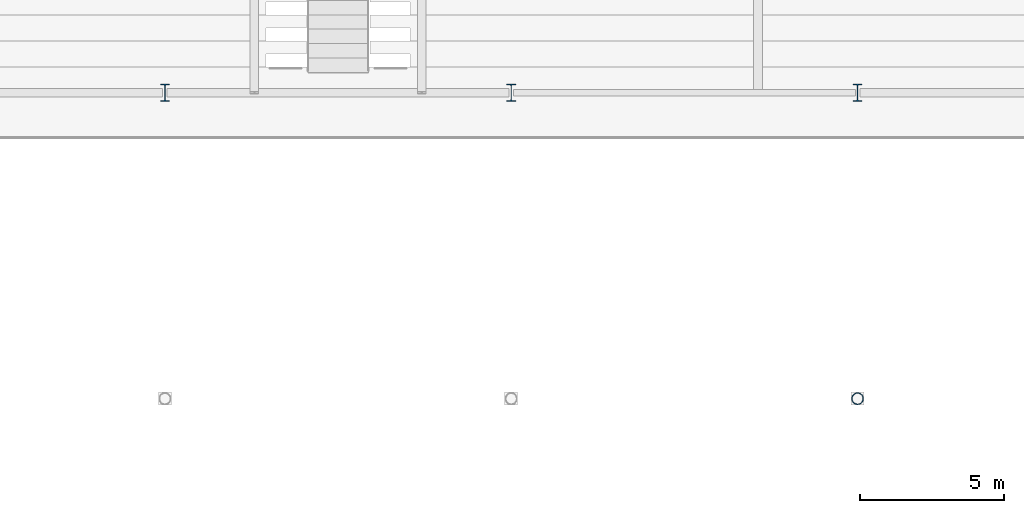
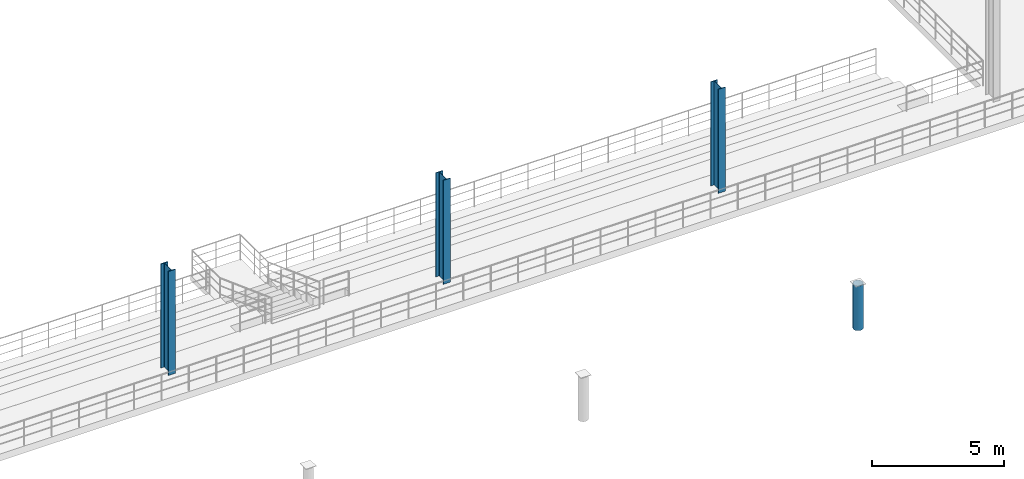
# One storey, part 2 of 52: 4 columns.
"""IFC4 building model written with IfcOpenShell, lengths in metres."""

import ifcopenshell
import ifcopenshell.guid

model = None  # the IFC model being written
_history = None  # IfcOwnerHistory: only IFC2X3 demands one
_inside = {}  # id of a spatial element -> (the spatial element, [elements in it])
_under = {}  # id of a project, library or spatial element -> (it, [spatial elements below it])
_declared = {}  # id of a project -> (the project, [libraries it declares])
_typed = {}  # id of a type object -> (the type object, [elements of that type])
_made_of = {}  # id of a material, layer set ... -> (it, [elements and type objects made of it])


def new_model(schema):
    """Start an empty IFC model of exactly this schema.

    Asked for "IFC4X3", IfcOpenShell would pick the latest addendum, in which some entities
    have other attributes; the version numbers below select the first issue.
    IFC2X3 requires an IfcOwnerHistory on every rooted entity: one is made here for all.
    """
    global model, _history
    if schema == "IFC4X3":
        model = ifcopenshell.file(schema_version=(4, 3, 0, 0))
    else:
        model = ifcopenshell.file(schema=schema)
    _inside.clear()
    _under.clear()
    _declared.clear()
    _typed.clear()
    _made_of.clear()
    _history = None
    if model.schema == "IFC2X3":
        org = make("IfcOrganization", Name="unknown")
        user = make(
            "IfcPersonAndOrganization",
            ThePerson=make("IfcPerson", FamilyName="unknown"),
            TheOrganization=org,
        )
        app = make(
            "IfcApplication",
            ApplicationDeveloper=org,
            Version="unknown",
            ApplicationFullName="unknown",
            ApplicationIdentifier="unknown",
        )
        _history = make(
            "IfcOwnerHistory",
            OwningUser=user,
            OwningApplication=app,
            ChangeAction="ADDED",
            CreationDate=0,
        )
    return model


def make(cls, **values):
    """One entity of the class cls with the attributes given. An attribute that is None is left unset."""
    return model.create_entity(
        cls, **{name: value for name, value in values.items() if value is not None}
    )


def rooted(cls, **values):
    """An entity with a GlobalId (a new one), such as an element, a storey or a relation."""
    return make(cls, GlobalId=ifcopenshell.guid.new(), OwnerHistory=_history, **values)


def si_unit(unit_type, name, prefix=None):
    """IfcSIUnit, for example si_unit("LENGTHUNIT", "METRE", prefix="MILLI")."""
    return make("IfcSIUnit", UnitType=unit_type, Prefix=prefix, Name=name)


def assignment(units):
    """IfcUnitAssignment: the units of a project."""
    return None if units is None else make("IfcUnitAssignment", Units=units)


def point(xyz):
    """IfcCartesianPoint."""
    return None if xyz is None else make("IfcCartesianPoint", Coordinates=xyz)


def direction(xyz):
    """IfcDirection."""
    return None if xyz is None else make("IfcDirection", DirectionRatios=xyz)


def frame(location, z_axis=None, x_axis=None):
    """IfcAxis2Placement3D, a coordinate frame: its origin and axes. An axis left out is left unset."""
    return make(
        "IfcAxis2Placement3D",
        Location=point(location),
        Axis=direction(z_axis),
        RefDirection=direction(x_axis),
    )


def frame_2d(location, x_axis=None):
    """IfcAxis2Placement2D, a coordinate frame in the plane: its origin and x axis."""
    return make(
        "IfcAxis2Placement2D", Location=point(location), RefDirection=direction(x_axis)
    )


def origin():
    """The frame at (0, 0, 0) with its axes left unset."""
    return frame((0.0, 0.0, 0.0))


def origin_2d():
    """The frame at (0, 0) in the plane with its x axis left unset."""
    return frame_2d((0.0, 0.0))


def place(relative_to, where):
    """IfcLocalPlacement: puts the frame where relative to a parent placement (None: the world)."""
    return make(
        "IfcLocalPlacement", PlacementRelTo=relative_to, RelativePlacement=where
    )


def context(
    kind, dimensions, precision=None, world=None, true_north=None, identifier=None
):
    """IfcGeometricRepresentationContext, for example the 3D "Model" context."""
    return make(
        "IfcGeometricRepresentationContext",
        ContextIdentifier=identifier,
        ContextType=kind,
        CoordinateSpaceDimension=dimensions,
        Precision=precision,
        WorldCoordinateSystem=world,
        TrueNorth=true_north,
    )


def subcontext(parent, identifier, kind, view, scale=None):
    """IfcGeometricRepresentationSubContext, for example "Body" below "Model"."""
    return make(
        "IfcGeometricRepresentationSubContext",
        ContextIdentifier=identifier,
        ContextType=kind,
        ParentContext=parent,
        TargetScale=scale,
        TargetView=view,
    )


def project(units=None, contexts=None):
    """IfcProject with its units and contexts."""
    return rooted(
        "IfcProject",
        Name="project",
        RepresentationContexts=contexts,
        UnitsInContext=assignment(units),
    )


def spatial(cls, under=None, at=None, **own):
    """A site, building, storey or space (cls), placed at a placement, below another one or the project."""
    s = rooted(cls, ObjectPlacement=at, **own)
    if under is not None:
        _under.setdefault(under.id(), (under, []))[1].append(s)
    return s


def profile(cls, at=None, kind="AREA", **sizes):
    """A parametric profile (cls). Its sizes go by their IFC names, for example OverallWidth=200.0."""
    return make(cls, ProfileType=kind, Position=at, **sizes)


def hollow_circle(**sizes):
    """IfcCircleHollowProfileDef."""
    return profile("IfcCircleHollowProfileDef", **sizes)


def i_section(**sizes):
    """IfcIShapeProfileDef."""
    return profile("IfcIShapeProfileDef", **sizes)


def extrude(swept, where, along, depth):
    """IfcExtrudedAreaSolid: the profile swept, set in the frame where, extruded along a direction by depth."""
    return make(
        "IfcExtrudedAreaSolid",
        SweptArea=swept,
        Position=where,
        ExtrudedDirection=direction(along),
        Depth=depth,
    )


def shape(context_of_items, identifier, shape_type, items):
    """IfcShapeRepresentation: the items that make up one representation, for example the "Body"."""
    return make(
        "IfcShapeRepresentation",
        ContextOfItems=context_of_items,
        RepresentationIdentifier=identifier,
        RepresentationType=shape_type,
        Items=items,
    )


def material(Name=None, Category=None):
    """IfcMaterial."""
    return make("IfcMaterial", Name=Name, Category=Category)


def material_profile(
    of_material, cross_section, Name=None, Category=None, Priority=None
):
    """IfcMaterialProfile: a cross section and its material."""
    return make(
        "IfcMaterialProfile",
        Name=Name,
        Material=of_material,
        Profile=cross_section,
        Priority=Priority,
        Category=Category,
    )


def profile_set(profiles, Name=None, composite=None):
    """IfcMaterialProfileSet."""
    return make(
        "IfcMaterialProfileSet",
        Name=Name,
        MaterialProfiles=profiles,
        CompositeProfile=composite,
    )


def made_of(thing, what):
    """Note that an element or type object is made of a material, layer set ...; save() writes the relation."""
    if what is not None:
        _made_of.setdefault(what.id(), (what, []))[1].append(thing)
    return thing


def type_object(cls, material=None, **own):
    """A type object (cls), such as IfcWallType, which elements share."""
    return made_of(rooted(cls, **own), material)


def element(
    cls,
    number,
    at=None,
    inside=None,
    cuts=None,
    type_object=None,
    material=None,
    context=None,
    identifier="Body",
    shape_type=None,
    held_by="IfcProductDefinitionShape",
    body=None,
    shapes=None,
    **own,
):
    """One element of the class cls, such as IfcWall. Its Tag is "e" and its number.

    at: its placement. inside: the storey or other place that contains it. cuts: it is an
    opening in that element (IfcRelVoidsElement). A single representation is given by context,
    identifier, shape_type and body (its items); several are given by shapes. held_by: the class
    of the entity that holds the representations. save() writes the other relations.
    """
    e = rooted(cls, Tag="e%d" % number, ObjectPlacement=at, **own)
    if body is not None:
        shapes = [shape(context, identifier, shape_type, body)]
    if shapes is not None:
        e.Representation = make(held_by, Representations=shapes)
    if inside is not None:
        _inside.setdefault(inside.id(), (inside, []))[1].append(e)
    if cuts is not None:
        rooted(
            "IfcRelVoidsElement", RelatingBuildingElement=cuts, RelatedOpeningElement=e
        )
    if type_object is not None:
        _typed.setdefault(type_object.id(), (type_object, []))[1].append(e)
    return made_of(e, material)


def aggregate(whole, parts):
    """IfcRelAggregates: a whole, such as a stair, and the parts it consists of."""
    return rooted("IfcRelAggregates", RelatingObject=whole, RelatedObjects=parts)


def save(model, path):
    """Write the relations noted so far, then the file.

    IfcRelAggregates (storeys below a building ...), IfcRelContainedInSpatialStructure (elements
    in a storey), IfcRelDefinesByType, IfcRelAssociatesMaterial and IfcRelDeclares: one each for
    every whole, place, type object, material and project.
    """
    for whole, parts in _under.values():
        aggregate(whole, parts)
    for where, things in _inside.values():
        rooted(
            "IfcRelContainedInSpatialStructure",
            RelatedElements=things,
            RelatingStructure=where,
        )
    for kind, things in _typed.values():
        rooted("IfcRelDefinesByType", RelatedObjects=things, RelatingType=kind)
    for what, things in _made_of.values():
        rooted("IfcRelAssociatesMaterial", RelatedObjects=things, RelatingMaterial=what)
    for by, libraries in _declared.values():
        rooted("IfcRelDeclares", RelatingContext=by, RelatedDefinitions=libraries)
    model.write(path)


model = new_model("IFC4")

# Units and contexts
model_context = context("Model", 3, precision=1e-05, world=origin(), true_north=direction((0.0, 1.0)))
body_context = subcontext(model_context, "Body", "Model", "MODEL_VIEW")
ifc_project = project(units=[si_unit("LENGTHUNIT", "METRE"), si_unit("AREAUNIT", "SQUARE_METRE"), si_unit("VOLUMEUNIT", "CUBIC_METRE"), si_unit("PLANEANGLEUNIT", "RADIAN"), si_unit("MASSUNIT", "GRAM", prefix="KILO"), si_unit("THERMODYNAMICTEMPERATUREUNIT", "KELVIN"), si_unit("POWERUNIT", "WATT")], contexts=[model_context])

# Site, building, storey
site_placement = place(None, origin())
site = spatial("IfcSite", under=ifc_project, at=site_placement, CompositionType="ELEMENT")
building_placement = place(site_placement, origin())
building = spatial("IfcBuilding", under=site, at=building_placement, Name="Solmara Park Aquatics Centre", CompositionType="ELEMENT")
storey_placement = place(building_placement, frame((0.0, 0.0, 9.60009765625)))
storey = spatial("IfcBuildingStorey", under=building, at=storey_placement, Name="L02", CompositionType="ELEMENT", Elevation=9.60009765625)

# Columns
ifc_material = material(Name="Structural Steel S355", Category="steel")
ifc_material_profile_1 = material_profile(ifc_material, hollow_circle(Radius=0.203125, WallThickness=0.01611328125, at=origin_2d()), Name="CHS 406.4x16")
ifc_profile_set_1 = profile_set([ifc_material_profile_1], Name="Structural Steel S355")
column_type_1 = type_object("IfcColumnType", Name="STR-COL-CHS406", PredefinedType="COLUMN", material=ifc_profile_set_1)
column_placement = place(storey_placement, frame((72.60009765625, 12.60009765625, 0.0), z_axis=(0.0, 0.0, 1.0), x_axis=(1.0, 0.0, 0.0)))
element("IfcColumn", 1, at=column_placement, inside=storey, type_object=column_type_1, Name="Column L02-0499", PredefinedType="COLUMN", context=body_context, shape_type="SweptSolid", body=[
    extrude(hollow_circle(Radius=0.203125, WallThickness=0.01611328125, at=origin_2d()), origin(), (0.0, 0.0, 1.0), 2.059814453125),
])
ifc_material_profile_2 = material_profile(ifc_material, i_section(OverallWidth=0.300048828125, OverallDepth=0.60009765625, WebThickness=0.015380859375, FlangeThickness=0.030029296875, FilletRadius=0.027099609375, at=origin_2d()), Name="HEB 600")
ifc_profile_set_2 = profile_set([ifc_material_profile_2], Name="Structural Steel S355")
column_type_2 = type_object("IfcColumnType", Name="STR-COL-HEB600", PredefinedType="COLUMN", material=ifc_profile_set_2)
for number, where, z_axis, x_axis, name in (
    (2, (48.60009765625, 23.199951171875, 0.0), (0.0, 0.0, 1.0), (1.0, 0.0, 0.0), "Column L02-0484"),
    (3, (60.60009765625, 23.199951171875, 0.0), (0.0, 0.0, 1.0), (1.0, 0.0, 0.0), "Column L02-0492"),
    (4, (72.60009765625, 23.199951171875, 0.0), (0.0, 0.0, 1.0), (1.0, 0.0, 0.0), "Column L02-0500"),
):
    element("IfcColumn", number, at=place(storey_placement, frame(where, z_axis=z_axis, x_axis=x_axis)), inside=storey, type_object=column_type_2, Name=name, PredefinedType="COLUMN", context=body_context, shape_type="SweptSolid", body=[
        extrude(i_section(OverallWidth=0.300048828125, OverallDepth=0.60009765625, WebThickness=0.015380859375, FlangeThickness=0.030029296875, FilletRadius=0.027099609375, at=origin_2d()), origin(), (0.0, 0.0, 1.0), 4.7998046875),
    ])

save(model, "model.ifc")
